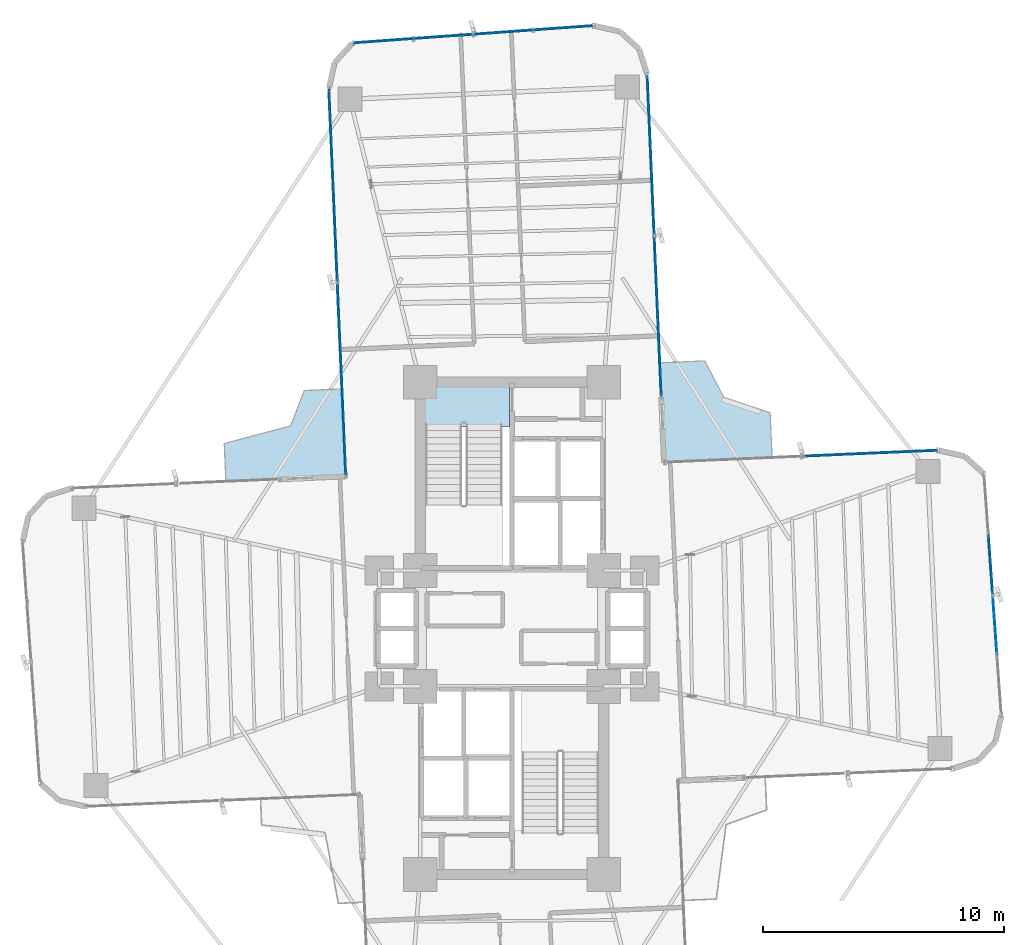
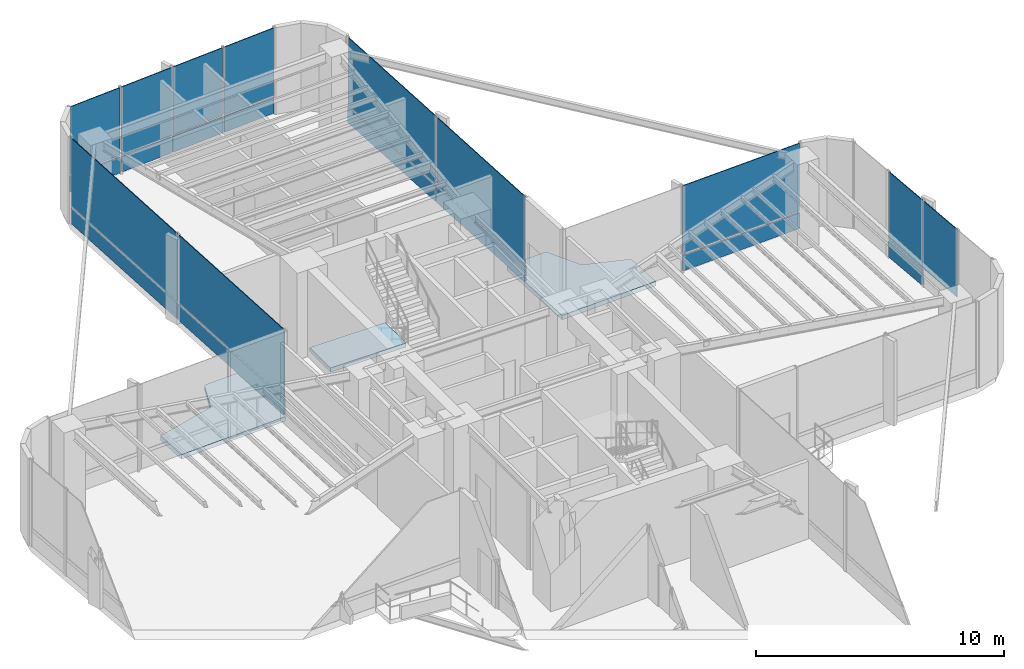
# One storey, part 16 of 21: 21 plates, 3 slabs, 5 elements without a shape of their own.
"""IFC4 building model written with IfcOpenShell, lengths in metres."""

from ifc_helpers import new_model, si_unit, direction, frame, origin, origin_2d, place, context, subcontext, project, spatial, polyline, rectangle, outline, extrude, source, transform, mapped, material, layer, layer_set, type_object, element, aggregate, save


model = new_model("IFC4")

# Units and contexts
model_context = context("Model", 3, precision=1e-05, world=origin(), true_north=direction((0.0, 1.0)))
body_context = subcontext(model_context, "Body", "Model", "MODEL_VIEW")
ifc_project = project(units=[si_unit("LENGTHUNIT", "METRE"), si_unit("AREAUNIT", "SQUARE_METRE"), si_unit("VOLUMEUNIT", "CUBIC_METRE"), si_unit("PLANEANGLEUNIT", "RADIAN"), si_unit("MASSUNIT", "GRAM", prefix="KILO")], contexts=[model_context])

# Site, building, storey
site_placement = place(None, origin())
site = spatial("IfcSite", under=ifc_project, at=site_placement, CompositionType="ELEMENT")
building_placement = place(site_placement, origin())
building = spatial("IfcBuilding", under=site, at=building_placement, Name="Sahyath Konkavel Grand Hotel", CompositionType="ELEMENT")
storey_placement = place(building_placement, frame((0.0, 0.0, 79.0)))
storey = spatial("IfcBuildingStorey", under=building, at=storey_placement, Name="L21", CompositionType="ELEMENT", Elevation=79.0)

# Slabs
ifc_material_1 = material(Name="Concrete C40/50", Category="concrete")
ifc_layer_1 = layer(ifc_material_1, 0.219970703125)
ifc_layer_set_1 = layer_set([ifc_layer_1], Name="Concrete C40/50")
slab_type_1 = type_object("IfcSlabType", Name="SLB-BALCONY-220", PredefinedType="FLOOR", material=ifc_layer_set_1)
slab_1_placement = place(storey_placement, frame((0.0, 0.0, -0.219970703125)))
element("IfcSlab", 1, at=slab_1_placement, inside=storey, type_object=slab_type_1, Name="L21 Winter-Garden Balcony NE", PredefinedType="FLOOR", context=body_context, shape_type="SweptSolid", body=[
    extrude(outline(polyline([(6.305908203125, 6.881591796875), (10.775634765625, 7.076904296875), (10.694580078125, 8.934814453125), (8.773681640625, 9.57470703125), (7.98388671875, 11.084716796875), (6.1259765625, 11.003662109375), (6.305908203125, 6.881591796875)])), origin(), (0.0, 0.0, 1.0), 0.219970703125),
])
slab_2_placement = place(storey_placement, frame((0.0, 0.0, -0.219970703125)))
element("IfcSlab", 2, at=slab_2_placement, inside=storey, type_object=slab_type_1, Name="L21 Winter-Garden Balcony NW", PredefinedType="FLOOR", context=body_context, shape_type="SweptSolid", body=[
    extrude(outline(polyline([(-6.881591796875, 6.305908203125), (-7.03955078125, 9.92431640625), (-8.61279296875, 9.855712890625), (-9.161865234375, 8.3955078125), (-11.923583984375, 7.661865234375), (-11.85498046875, 6.088623046875), (-6.881591796875, 6.305908203125)])), origin(), (0.0, 0.0, 1.0), 0.219970703125),
])
ifc_layer_2 = layer(ifc_material_1, 0.199951171875)
ifc_layer_set_2 = layer_set([ifc_layer_2], Name="Concrete C40/50")
slab_type_2 = type_object("IfcSlabType", Name="SLB-STAIR-LND", PredefinedType="LANDING", material=ifc_layer_set_2)
slab_3_placement = place(storey_placement, frame((0.0, 0.0, -0.199951171875)))
element("IfcSlab", 3, at=slab_3_placement, inside=storey, type_object=slab_type_2, Name="L21 Stair ST-1 Floor Landing Slab", PredefinedType="LANDING", context=body_context, shape_type="SweptSolid", body=[
    extrude(outline(polyline([(-3.6201171875, 8.35009765625), (-0.10009765625, 8.35009765625), (-0.10009765625, 10.02001953125), (-3.6201171875, 10.02001953125), (-3.6201171875, 8.35009765625)])), origin(), (0.0, 0.0, 1.0), 0.199951171875),
])

# Curtain wall, plate
ifc_material_2 = material(Name="Anodised Bronze Aluminium & Low-E Glazing", Category="aluminium")
curtain_wall_type = type_object("IfcCurtainWallType", Name="CW-SKYLOBBY", PredefinedType="NOTDEFINED", material=ifc_material_2)
curtain_wall_1_placement = place(storey_placement, origin())
curtain_wall_1 = element("IfcCurtainWall", 4, at=curtain_wall_1_placement, inside=storey, type_object=curtain_wall_type, Name="L21 Unitised Curtain Wall F4", PredefinedType="NOTDEFINED")
ifc_material_3 = material(Name="Warm Buff Sandstone Cladding", Category="masonry")
ifc_layer_3 = layer(ifc_material_3, 0.074951171875)
ifc_layer_set_3 = layer_set([ifc_layer_3], Name="Warm Buff Sandstone Cladding")
plate_type_1 = type_object("IfcPlateType", Name="PNL-SPANDREL-STONE", PredefinedType="SHEET", material=ifc_layer_set_3)
shared_shape_1 = source(origin(), body_context, "Body", "SweptSolid", [
    extrude(rectangle(XDim=2.41357421875, YDim=0.074951171875, at=origin_2d()), origin(), (0.0, 0.0, 1.0), 0.77001953125),
])
plate_1_placement = place(storey_placement, frame((19.828369140625, 2.638671875, 0.0400390625), z_axis=(0.0, 0.0, 1.0), x_axis=(-0.071567078661, 0.997435789037, 0.0)))
plate_1 = element("IfcPlate", 5, at=plate_1_placement, type_object=plate_type_1, Name="L21 Sandstone Relief Spandrel Panel F4-2", PredefinedType="SHEET", context=body_context, shape_type="MappedRepresentation", body=[
    mapped(shared_shape_1, transform((0.0, 0.0, 0.0), scale=1.0)),
])

# Curtain wall, plates
curtain_wall_2_placement = place(storey_placement, origin())
curtain_wall_2 = element("IfcCurtainWall", 6, at=curtain_wall_2_placement, inside=storey, type_object=curtain_wall_type, Name="L21 Unitised Curtain Wall F12", PredefinedType="NOTDEFINED")
plate_2_placement = place(storey_placement, frame((2.130615234375, 24.880615234375, 0.0400390625), z_axis=(0.0, 0.0, 1.0), x_axis=(-0.997435789037, -0.071567078661, 0.0)))
plate_2 = element("IfcPlate", 7, at=plate_2_placement, type_object=plate_type_1, Name="L21 Sandstone Relief Spandrel Panel F12-0", PredefinedType="SHEET", context=body_context, shape_type="MappedRepresentation", body=[
    mapped(shared_shape_1, transform((0.0, 0.0, 0.0), scale=1.0)),
])
plate_3_placement = place(storey_placement, frame((-0.356689453125, 24.7021484375, 0.0400390625), z_axis=(0.0, 0.0, 1.0), x_axis=(-0.997435789037, -0.071567078661, 0.0)))
plate_3 = element("IfcPlate", 8, at=plate_3_placement, type_object=plate_type_1, Name="L21 Sandstone Relief Spandrel Panel F12-1", PredefinedType="SHEET", context=body_context, shape_type="MappedRepresentation", body=[
    mapped(shared_shape_1, transform((0.0, 0.0, 0.0), scale=1.0)),
])
plate_4_placement = place(storey_placement, frame((-2.84375, 24.523681640625, 0.0400390625), z_axis=(0.0, 0.0, 1.0), x_axis=(-0.997435789037, -0.071567078661, 0.0)))
plate_4 = element("IfcPlate", 9, at=plate_4_placement, type_object=plate_type_1, Name="L21 Sandstone Relief Spandrel Panel F12-2", PredefinedType="SHEET", context=body_context, shape_type="MappedRepresentation", body=[
    mapped(shared_shape_1, transform((0.0, 0.0, 0.0), scale=1.0)),
])
plate_5_placement = place(storey_placement, frame((-5.330810546875, 24.34521484375, 0.0400390625), z_axis=(0.0, 0.0, 1.0), x_axis=(-0.997435789037, -0.071567078661, 0.0)))
plate_5 = element("IfcPlate", 10, at=plate_5_placement, type_object=plate_type_1, Name="L21 Sandstone Relief Spandrel Panel F12-3", PredefinedType="SHEET", context=body_context, shape_type="MappedRepresentation", body=[
    mapped(shared_shape_1, transform((0.0, 0.0, 0.0), scale=1.0)),
])

# Plate
ifc_material_4 = material(Name="Low-E Solar Control Double Glazing", Category="glass")
ifc_layer_4 = layer(ifc_material_4, 0.035888671875)
ifc_layer_set_4 = layer_set([ifc_layer_4], Name="Low-E Solar Control Double Glazing")
plate_type_2 = type_object("IfcPlateType", Name="PNL-VISION-LOWE", PredefinedType="CURTAIN_PANEL", material=ifc_layer_set_4)
shared_shape_2 = source(origin(), body_context, "Body", "SweptSolid", [
    extrude(rectangle(XDim=2.41357421875, YDim=0.035888671875, at=origin_2d()), origin(), (0.0, 0.0, 1.0), 3.330078125),
])
plate_6_placement = place(storey_placement, frame((20.006591796875, 0.151611328125, 0.889892578125), z_axis=(0.0, 0.0, 1.0), x_axis=(-0.071567078661, 0.997435789037, 0.0)))
plate_6 = element("IfcPlate", 11, at=plate_6_placement, type_object=plate_type_2, Name="L21 Low-E Vision Glazing Panel F4-1", PredefinedType="CURTAIN_PANEL", context=body_context, shape_type="MappedRepresentation", body=[
    mapped(shared_shape_2, transform((0.0, 0.0, 0.0), scale=1.0)),
])

plate_7_placement = place(storey_placement, frame((19.828369140625, 2.638671875, 0.889892578125), z_axis=(0.0, 0.0, 1.0), x_axis=(-0.071567078661, 0.997435789037, 0.0)))
plate_7 = element("IfcPlate", 12, at=plate_7_placement, type_object=plate_type_2, Name="L21 Low-E Vision Glazing Panel F4-2", PredefinedType="CURTAIN_PANEL", context=body_context, shape_type="MappedRepresentation", body=[
    mapped(shared_shape_2, transform((0.0, 0.0, 0.0), scale=1.0)),
])

aggregate(curtain_wall_1, [plate_6, plate_1, plate_7])

plate_8_placement = place(storey_placement, frame((2.130615234375, 24.880615234375, 0.889892578125), z_axis=(0.0, 0.0, 1.0), x_axis=(-0.997435789037, -0.071567078661, 0.0)))
plate_8 = element("IfcPlate", 13, at=plate_8_placement, type_object=plate_type_2, Name="L21 Low-E Vision Glazing Panel F12-0", PredefinedType="CURTAIN_PANEL", context=body_context, shape_type="MappedRepresentation", body=[
    mapped(shared_shape_2, transform((0.0, 0.0, 0.0), scale=1.0)),
])

plate_9_placement = place(storey_placement, frame((-0.356689453125, 24.7021484375, 0.889892578125), z_axis=(0.0, 0.0, 1.0), x_axis=(-0.997435789037, -0.071567078661, 0.0)))
plate_9 = element("IfcPlate", 14, at=plate_9_placement, type_object=plate_type_2, Name="L21 Low-E Vision Glazing Panel F12-1", PredefinedType="CURTAIN_PANEL", context=body_context, shape_type="MappedRepresentation", body=[
    mapped(shared_shape_2, transform((0.0, 0.0, 0.0), scale=1.0)),
])

plate_10_placement = place(storey_placement, frame((-2.84375, 24.523681640625, 0.889892578125), z_axis=(0.0, 0.0, 1.0), x_axis=(-0.997435789037, -0.071567078661, 0.0)))
plate_10 = element("IfcPlate", 15, at=plate_10_placement, type_object=plate_type_2, Name="L21 Low-E Vision Glazing Panel F12-2", PredefinedType="CURTAIN_PANEL", context=body_context, shape_type="MappedRepresentation", body=[
    mapped(shared_shape_2, transform((0.0, 0.0, 0.0), scale=1.0)),
])

plate_11_placement = place(storey_placement, frame((-5.330810546875, 24.34521484375, 0.889892578125), z_axis=(0.0, 0.0, 1.0), x_axis=(-0.997435789037, -0.071567078661, 0.0)))
plate_11 = element("IfcPlate", 16, at=plate_11_placement, type_object=plate_type_2, Name="L21 Low-E Vision Glazing Panel F12-3", PredefinedType="CURTAIN_PANEL", context=body_context, shape_type="MappedRepresentation", body=[
    mapped(shared_shape_2, transform((0.0, 0.0, 0.0), scale=1.0)),
])

aggregate(curtain_wall_2, [plate_2, plate_8, plate_3, plate_9, plate_4, plate_10, plate_5, plate_11])

# Curtain wall, plates
curtain_wall_3_placement = place(storey_placement, origin())
curtain_wall_3 = element("IfcCurtainWall", 17, at=curtain_wall_3_placement, inside=storey, type_object=curtain_wall_type, Name="L21 Unitised Curtain Wall F7", PredefinedType="NOTDEFINED")
shared_shape_3 = source(origin(), body_context, "Body", "SweptSolid", [
    extrude(rectangle(XDim=5.580078125, YDim=0.074951171875, at=origin_2d()), origin(), (0.0, 0.0, 1.0), 0.77001953125),
])
plate_12_placement = place(storey_placement, frame((14.82763671875, 7.25390625, 0.0400390625), z_axis=(0.0, 0.0, 1.0), x_axis=(-0.999048221582, -0.043619387365, 0.0)))
plate_12 = element("IfcPlate", 18, at=plate_12_placement, type_object=plate_type_1, Name="L21 Sandstone Relief Spandrel Panel F7-0", PredefinedType="SHEET", context=body_context, shape_type="MappedRepresentation", body=[
    mapped(shared_shape_3, transform((0.0, 0.0, 0.0), scale=1.0)),
])
shared_shape_4 = source(origin(), body_context, "Body", "SweptSolid", [
    extrude(rectangle(XDim=5.580078125, YDim=0.035888671875, at=origin_2d()), origin(), (0.0, 0.0, 1.0), 3.330078125),
])
plate_13_placement = place(storey_placement, frame((14.82763671875, 7.25390625, 0.889892578125), z_axis=(0.0, 0.0, 1.0), x_axis=(-0.999048221582, -0.043619387365, 0.0)))
plate_13 = element("IfcPlate", 19, at=plate_13_placement, type_object=plate_type_2, Name="L21 Low-E Vision Glazing Panel F7-0", PredefinedType="CURTAIN_PANEL", context=body_context, shape_type="MappedRepresentation", body=[
    mapped(shared_shape_4, transform((0.0, 0.0, 0.0), scale=1.0)),
])
aggregate(curtain_wall_3, [plate_12, plate_13])

curtain_wall_4_placement = place(storey_placement, origin())
curtain_wall_4 = element("IfcCurtainWall", 20, at=curtain_wall_4_placement, inside=storey, type_object=curtain_wall_type, Name="L21 Unitised Curtain Wall F8", PredefinedType="NOTDEFINED")
shared_shape_5 = source(origin(), body_context, "Body", "SweptSolid", [
    extrude(rectangle(XDim=6.580078125, YDim=0.074951171875, at=origin_2d()), origin(), (0.0, 0.0, 1.0), 0.77001953125),
])
plate_14_placement = place(storey_placement, frame((6.041015625, 12.94580078125, 0.0400390625), z_axis=(0.0, 0.0, 1.0), x_axis=(-0.043619387365, 0.999048221582, 0.0)))
plate_14 = element("IfcPlate", 21, at=plate_14_placement, type_object=plate_type_1, Name="L21 Sandstone Relief Spandrel Panel F8-0", PredefinedType="SHEET", context=body_context, shape_type="MappedRepresentation", body=[
    mapped(shared_shape_5, transform((0.0, 0.0, 0.0), scale=1.0)),
])
plate_15_placement = place(storey_placement, frame((5.75048828125, 19.599609375, 0.0400390625), z_axis=(0.0, 0.0, 1.0), x_axis=(-0.043619387365, 0.999048221582, 0.0)))
plate_15 = element("IfcPlate", 22, at=plate_15_placement, type_object=plate_type_1, Name="L21 Sandstone Relief Spandrel Panel F8-1", PredefinedType="SHEET", context=body_context, shape_type="MappedRepresentation", body=[
    mapped(shared_shape_5, transform((0.0, 0.0, 0.0), scale=1.0)),
])
shared_shape_6 = source(origin(), body_context, "Body", "SweptSolid", [
    extrude(rectangle(XDim=6.580078125, YDim=0.035888671875, at=origin_2d()), origin(), (0.0, 0.0, 1.0), 3.330078125),
])
plate_16_placement = place(storey_placement, frame((6.041015625, 12.94580078125, 0.889892578125), z_axis=(0.0, 0.0, 1.0), x_axis=(-0.043619387365, 0.999048221582, 0.0)))
plate_16 = element("IfcPlate", 23, at=plate_16_placement, type_object=plate_type_2, Name="L21 Low-E Vision Glazing Panel F8-0", PredefinedType="CURTAIN_PANEL", context=body_context, shape_type="MappedRepresentation", body=[
    mapped(shared_shape_6, transform((0.0, 0.0, 0.0), scale=1.0)),
])
plate_17_placement = place(storey_placement, frame((5.75048828125, 19.599609375, 0.889892578125), z_axis=(0.0, 0.0, 1.0), x_axis=(-0.043619387365, 0.999048221582, 0.0)))
plate_17 = element("IfcPlate", 24, at=plate_17_placement, type_object=plate_type_2, Name="L21 Low-E Vision Glazing Panel F8-1", PredefinedType="CURTAIN_PANEL", context=body_context, shape_type="MappedRepresentation", body=[
    mapped(shared_shape_6, transform((0.0, 0.0, 0.0), scale=1.0)),
])
aggregate(curtain_wall_4, [plate_14, plate_16, plate_15, plate_17])

curtain_wall_5_placement = place(storey_placement, origin())
curtain_wall_5 = element("IfcCurtainWall", 25, at=curtain_wall_5_placement, inside=storey, type_object=curtain_wall_type, Name="L21 Unitised Curtain Wall F15", PredefinedType="NOTDEFINED")
shared_shape_7 = source(origin(), body_context, "Body", "SweptSolid", [
    extrude(rectangle(XDim=7.929931640625, YDim=0.074951171875, at=origin_2d()), origin(), (0.0, 0.0, 1.0), 0.77001953125),
])
plate_18_placement = place(storey_placement, frame((-7.407470703125, 18.349365234375, 0.0400390625), z_axis=(0.0, 0.0, 1.0), x_axis=(0.043619387365, -0.999048221582, 0.0)))
plate_18 = element("IfcPlate", 26, at=plate_18_placement, type_object=plate_type_1, Name="L21 Sandstone Relief Spandrel Panel F15-0", PredefinedType="SHEET", context=body_context, shape_type="MappedRepresentation", body=[
    mapped(shared_shape_7, transform((0.0, 0.0, 0.0), scale=1.0)),
])
plate_19_placement = place(storey_placement, frame((-7.05810546875, 10.346923828125, 0.0400390625), z_axis=(0.0, 0.0, 1.0), x_axis=(0.043619387365, -0.999048221582, 0.0)))
plate_19 = element("IfcPlate", 27, at=plate_19_placement, type_object=plate_type_1, Name="L21 Sandstone Relief Spandrel Panel F15-1", PredefinedType="SHEET", context=body_context, shape_type="MappedRepresentation", body=[
    mapped(shared_shape_7, transform((0.0, 0.0, 0.0), scale=1.0)),
])
shared_shape_8 = source(origin(), body_context, "Body", "SweptSolid", [
    extrude(rectangle(XDim=7.929931640625, YDim=0.035888671875, at=origin_2d()), origin(), (0.0, 0.0, 1.0), 3.330078125),
])
plate_20_placement = place(storey_placement, frame((-7.407470703125, 18.349365234375, 0.889892578125), z_axis=(0.0, 0.0, 1.0), x_axis=(0.043619387365, -0.999048221582, 0.0)))
plate_20 = element("IfcPlate", 28, at=plate_20_placement, type_object=plate_type_2, Name="L21 Low-E Vision Glazing Panel F15-0", PredefinedType="CURTAIN_PANEL", context=body_context, shape_type="MappedRepresentation", body=[
    mapped(shared_shape_8, transform((0.0, 0.0, 0.0), scale=1.0)),
])
plate_21_placement = place(storey_placement, frame((-7.05810546875, 10.346923828125, 0.889892578125), z_axis=(0.0, 0.0, 1.0), x_axis=(0.043619387365, -0.999048221582, 0.0)))
plate_21 = element("IfcPlate", 29, at=plate_21_placement, type_object=plate_type_2, Name="L21 Low-E Vision Glazing Panel F15-1", PredefinedType="CURTAIN_PANEL", context=body_context, shape_type="MappedRepresentation", body=[
    mapped(shared_shape_8, transform((0.0, 0.0, 0.0), scale=1.0)),
])
aggregate(curtain_wall_5, [plate_18, plate_20, plate_19, plate_21])

save(model, "model.ifc")
